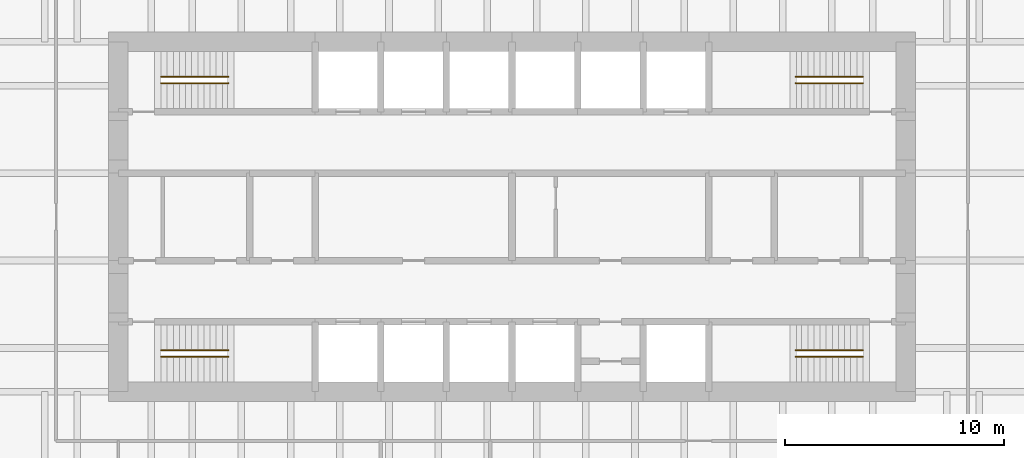
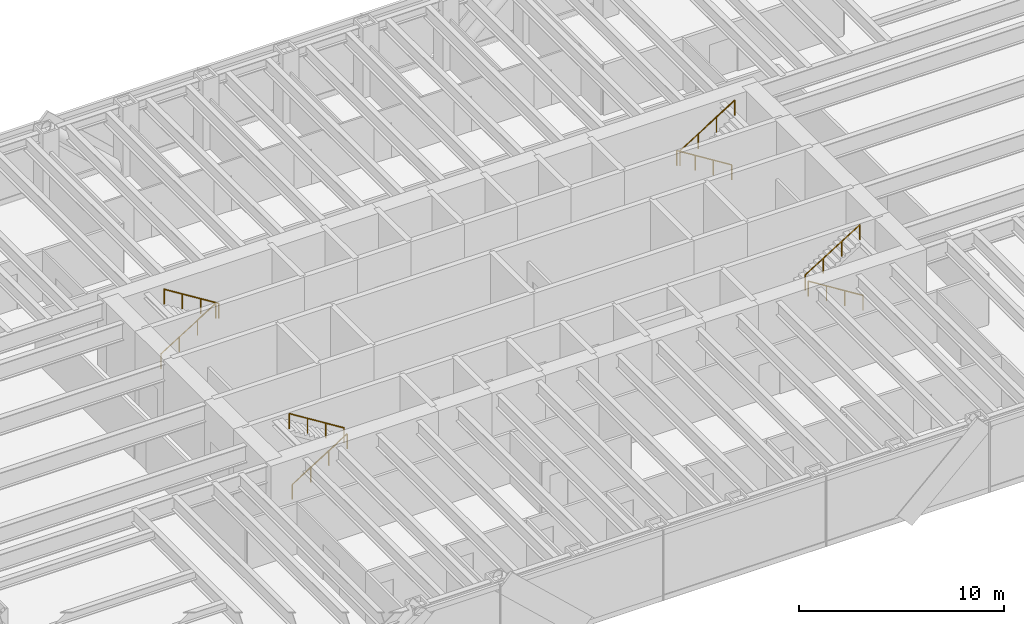
# One storey, part 15 of 15: 8 railings.
"""IFC4 building model written with IfcOpenShell, lengths in metres."""

from ifc_helpers import new_model, si_unit, direction, frame, origin, origin_2d, place, context, subcontext, project, spatial, circle, extrude, material, type_object, element, save


model = new_model("IFC4")

# Units and contexts
model_context = context("Model", 3, precision=1e-05, world=origin(), true_north=direction((0.0, 1.0)))
body_context = subcontext(model_context, "Body", "Model", "MODEL_VIEW")
ifc_project = project(units=[si_unit("LENGTHUNIT", "METRE"), si_unit("AREAUNIT", "SQUARE_METRE"), si_unit("VOLUMEUNIT", "CUBIC_METRE"), si_unit("PLANEANGLEUNIT", "RADIAN"), si_unit("MASSUNIT", "GRAM", prefix="KILO")], contexts=[model_context])

# Site, building, storey
site_placement = place(None, origin())
site = spatial("IfcSite", under=ifc_project, at=site_placement, CompositionType="ELEMENT")
building_placement = place(site_placement, origin())
building = spatial("IfcBuilding", under=site, at=building_placement, Name="Rheinbord Bourse Tower", CompositionType="ELEMENT")
storey_placement = place(building_placement, frame((0.0, 0.0, 104.699951171875)))
storey = spatial("IfcBuildingStorey", under=building, at=storey_placement, Name="L22", CompositionType="ELEMENT", Elevation=104.699951171875)

# Railings
ifc_material = material(Name="Steel handrail", Category="steel")
railing_type = type_object("IfcRailingType", Name="HANDRAIL 900", PredefinedType="HANDRAIL", material=ifc_material)
railing_1_placement = place(storey_placement, frame((19.949951171875, 17.60009765625, 0.175048828125)))
element("IfcRailing", 1, at=railing_1_placement, inside=storey, type_object=railing_type, Name="Handrail", PredefinedType="HANDRAIL", context=body_context, shape_type="SweptSolid", body=[
    extrude(circle(Radius=0.02392578125, at=origin_2d()), frame((0.0, 0.0, 0.8759765625), z_axis=(0.847998304005, 0.0, 0.529998940003), x_axis=(0.0, 1.0, 0.0)), (0.0, 0.0, 1.0), 3.632080078125),
    extrude(circle(Radius=0.02099609375, at=origin_2d()), origin(), (0.0, 0.0, 1.0), 0.851806640625),
    extrude(circle(Radius=0.02099609375, at=origin_2d()), frame((1.026611328125, 0.0, 0.6416015625)), (0.0, 0.0, 1.0), 0.851806640625),
    extrude(circle(Radius=0.02099609375, at=origin_2d()), frame((2.053466796875, 0.0, 1.283447265625)), (0.0, 0.0, 1.0), 0.851806640625),
    extrude(circle(Radius=0.02099609375, at=origin_2d()), frame((3.080078125, 0.0, 1.925048828125)), (0.0, 0.0, 1.0), 0.851806640625),
])
railing_2_placement = place(storey_placement, frame((23.030029296875, 17.89990234375, 2.275146484375)))
element("IfcRailing", 2, at=railing_2_placement, inside=storey, type_object=railing_type, Name="Handrail", PredefinedType="HANDRAIL", context=body_context, shape_type="SweptSolid", body=[
    extrude(circle(Radius=0.02392578125, at=origin_2d()), frame((0.0, 0.0, 0.8759765625), z_axis=(-0.848028513186, 0.0, 0.529950602248), x_axis=(0.0, -1.0, 0.0)), (0.0, 0.0, 1.0), 3.632080078125),
    extrude(circle(Radius=0.02099609375, at=origin_2d()), origin(), (0.0, 0.0, 1.0), 0.851806640625),
    extrude(circle(Radius=0.02099609375, at=origin_2d()), frame((-1.026611328125, 0.0, 0.6416015625)), (0.0, 0.0, 1.0), 0.851806640625),
    extrude(circle(Radius=0.02099609375, at=origin_2d()), frame((-2.053466796875, 0.0, 1.283203125)), (0.0, 0.0, 1.0), 0.851806640625),
    extrude(circle(Radius=0.02099609375, at=origin_2d()), frame((-3.080078125, 0.0, 1.9248046875)), (0.0, 0.0, 1.0), 0.851806640625),
])
railing_3_placement = place(storey_placement, frame((19.949951171875, 30.39990234375, 0.175048828125)))
element("IfcRailing", 3, at=railing_3_placement, inside=storey, type_object=railing_type, Name="Handrail", PredefinedType="HANDRAIL", context=body_context, shape_type="SweptSolid", body=[
    extrude(circle(Radius=0.02392578125, at=origin_2d()), frame((0.0, 0.0, 0.8759765625), z_axis=(0.847998304005, 0.0, 0.529998940003), x_axis=(0.0, 1.0, 0.0)), (0.0, 0.0, 1.0), 3.632080078125),
    extrude(circle(Radius=0.02099609375, at=origin_2d()), origin(), (0.0, 0.0, 1.0), 0.851806640625),
    extrude(circle(Radius=0.02099609375, at=origin_2d()), frame((1.026611328125, 0.0, 0.6416015625)), (0.0, 0.0, 1.0), 0.851806640625),
    extrude(circle(Radius=0.02099609375, at=origin_2d()), frame((2.053466796875, 0.0, 1.283447265625)), (0.0, 0.0, 1.0), 0.851806640625),
    extrude(circle(Radius=0.02099609375, at=origin_2d()), frame((3.080078125, 0.0, 1.925048828125)), (0.0, 0.0, 1.0), 0.851806640625),
])
railing_4_placement = place(storey_placement, frame((23.030029296875, 30.10009765625, 2.275146484375)))
element("IfcRailing", 4, at=railing_4_placement, inside=storey, type_object=railing_type, Name="Handrail", PredefinedType="HANDRAIL", context=body_context, shape_type="SweptSolid", body=[
    extrude(circle(Radius=0.02392578125, at=origin_2d()), frame((0.0, 0.0, 0.8759765625), z_axis=(-0.848028513186, 0.0, 0.529950602248), x_axis=(0.0, -1.0, 0.0)), (0.0, 0.0, 1.0), 3.632080078125),
    extrude(circle(Radius=0.02099609375, at=origin_2d()), origin(), (0.0, 0.0, 1.0), 0.851806640625),
    extrude(circle(Radius=0.02099609375, at=origin_2d()), frame((-1.026611328125, 0.0, 0.6416015625)), (0.0, 0.0, 1.0), 0.851806640625),
    extrude(circle(Radius=0.02099609375, at=origin_2d()), frame((-2.053466796875, 0.0, 1.283203125)), (0.0, 0.0, 1.0), 0.851806640625),
    extrude(circle(Radius=0.02099609375, at=origin_2d()), frame((-3.080078125, 0.0, 1.9248046875)), (0.0, 0.0, 1.0), 0.851806640625),
])
railing_5_placement = place(storey_placement, frame((52.050048828125, 17.60009765625, 0.175048828125)))
element("IfcRailing", 5, at=railing_5_placement, inside=storey, type_object=railing_type, Name="Handrail", PredefinedType="HANDRAIL", context=body_context, shape_type="SweptSolid", body=[
    extrude(circle(Radius=0.02392578125, at=origin_2d()), frame((0.0, 0.0, 0.8759765625), z_axis=(-0.847998304005, 0.0, 0.529998940003), x_axis=(0.0, -1.0, 0.0)), (0.0, 0.0, 1.0), 3.632080078125),
    extrude(circle(Radius=0.02099609375, at=origin_2d()), origin(), (0.0, 0.0, 1.0), 0.851806640625),
    extrude(circle(Radius=0.02099609375, at=origin_2d()), frame((-1.026611328125, 0.0, 0.6416015625)), (0.0, 0.0, 1.0), 0.851806640625),
    extrude(circle(Radius=0.02099609375, at=origin_2d()), frame((-2.053466796875, 0.0, 1.283447265625)), (0.0, 0.0, 1.0), 0.851806640625),
    extrude(circle(Radius=0.02099609375, at=origin_2d()), frame((-3.080078125, 0.0, 1.925048828125)), (0.0, 0.0, 1.0), 0.851806640625),
])
railing_6_placement = place(storey_placement, frame((48.969970703125, 17.89990234375, 2.275146484375)))
element("IfcRailing", 6, at=railing_6_placement, inside=storey, type_object=railing_type, Name="Handrail", PredefinedType="HANDRAIL", context=body_context, shape_type="SweptSolid", body=[
    extrude(circle(Radius=0.02392578125, at=origin_2d()), frame((0.0, 0.0, 0.8759765625), z_axis=(0.848028513186, 0.0, 0.529950602248), x_axis=(0.0, 1.0, 0.0)), (0.0, 0.0, 1.0), 3.632080078125),
    extrude(circle(Radius=0.02099609375, at=origin_2d()), origin(), (0.0, 0.0, 1.0), 0.851806640625),
    extrude(circle(Radius=0.02099609375, at=origin_2d()), frame((1.026611328125, 0.0, 0.6416015625)), (0.0, 0.0, 1.0), 0.851806640625),
    extrude(circle(Radius=0.02099609375, at=origin_2d()), frame((2.053466796875, 0.0, 1.283203125)), (0.0, 0.0, 1.0), 0.851806640625),
    extrude(circle(Radius=0.02099609375, at=origin_2d()), frame((3.080078125, 0.0, 1.9248046875)), (0.0, 0.0, 1.0), 0.851806640625),
])
railing_7_placement = place(storey_placement, frame((52.050048828125, 30.39990234375, 0.175048828125)))
element("IfcRailing", 7, at=railing_7_placement, inside=storey, type_object=railing_type, Name="Handrail", PredefinedType="HANDRAIL", context=body_context, shape_type="SweptSolid", body=[
    extrude(circle(Radius=0.02392578125, at=origin_2d()), frame((0.0, 0.0, 0.8759765625), z_axis=(-0.847998304005, 0.0, 0.529998940003), x_axis=(0.0, -1.0, 0.0)), (0.0, 0.0, 1.0), 3.632080078125),
    extrude(circle(Radius=0.02099609375, at=origin_2d()), origin(), (0.0, 0.0, 1.0), 0.851806640625),
    extrude(circle(Radius=0.02099609375, at=origin_2d()), frame((-1.026611328125, 0.0, 0.6416015625)), (0.0, 0.0, 1.0), 0.851806640625),
    extrude(circle(Radius=0.02099609375, at=origin_2d()), frame((-2.053466796875, 0.0, 1.283447265625)), (0.0, 0.0, 1.0), 0.851806640625),
    extrude(circle(Radius=0.02099609375, at=origin_2d()), frame((-3.080078125, 0.0, 1.925048828125)), (0.0, 0.0, 1.0), 0.851806640625),
])
railing_8_placement = place(storey_placement, frame((48.969970703125, 30.10009765625, 2.275146484375)))
element("IfcRailing", 8, at=railing_8_placement, inside=storey, type_object=railing_type, Name="Handrail", PredefinedType="HANDRAIL", context=body_context, shape_type="SweptSolid", body=[
    extrude(circle(Radius=0.02392578125, at=origin_2d()), frame((0.0, 0.0, 0.8759765625), z_axis=(0.848028513186, 0.0, 0.529950602248), x_axis=(0.0, 1.0, 0.0)), (0.0, 0.0, 1.0), 3.632080078125),
    extrude(circle(Radius=0.02099609375, at=origin_2d()), origin(), (0.0, 0.0, 1.0), 0.851806640625),
    extrude(circle(Radius=0.02099609375, at=origin_2d()), frame((1.026611328125, 0.0, 0.6416015625)), (0.0, 0.0, 1.0), 0.851806640625),
    extrude(circle(Radius=0.02099609375, at=origin_2d()), frame((2.053466796875, 0.0, 1.283203125)), (0.0, 0.0, 1.0), 0.851806640625),
    extrude(circle(Radius=0.02099609375, at=origin_2d()), frame((3.080078125, 0.0, 1.9248046875)), (0.0, 0.0, 1.0), 0.851806640625),
])

save(model, "model.ifc")
